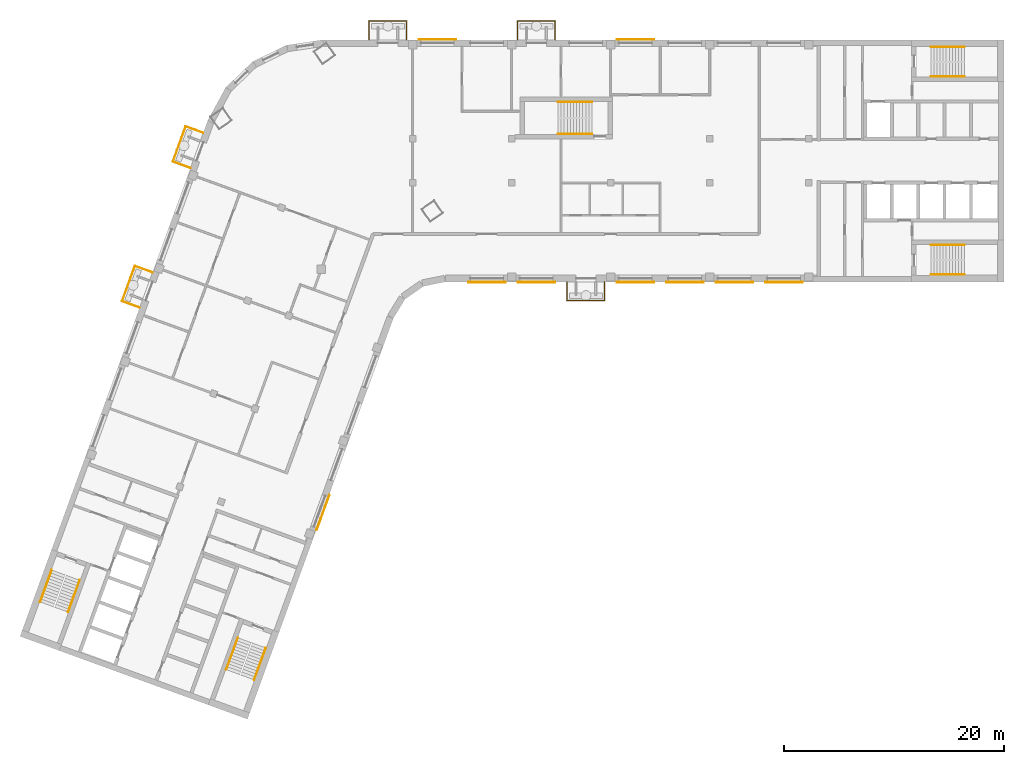
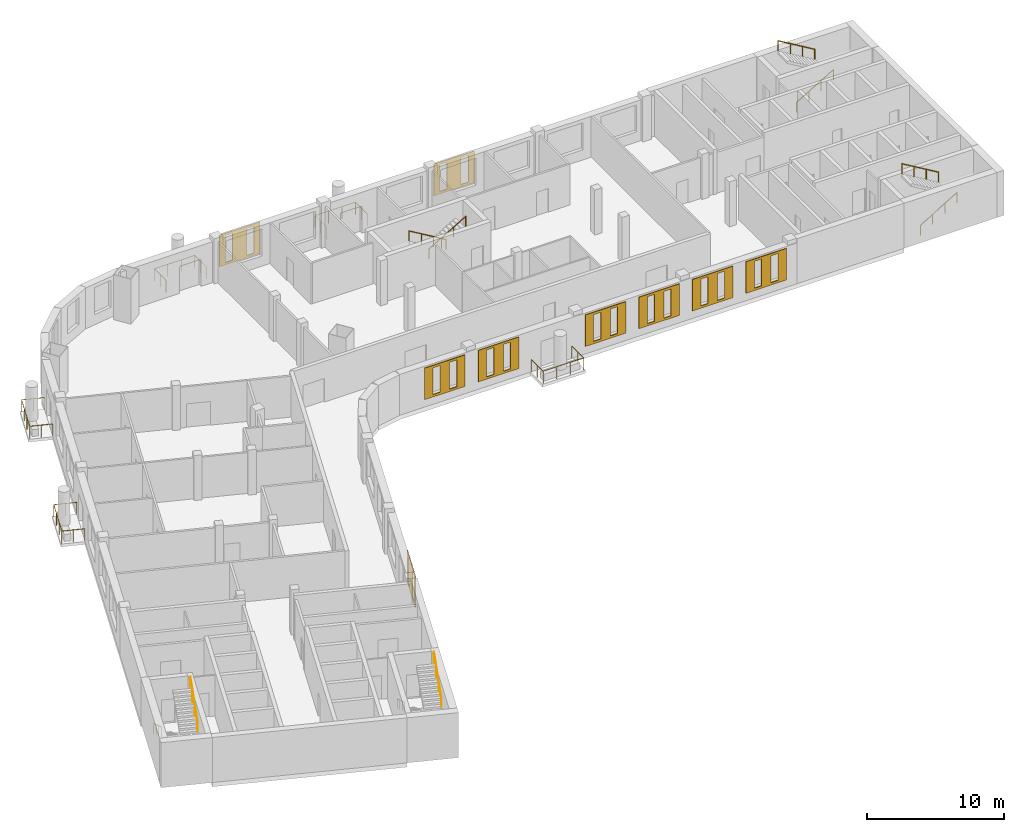
# One storey, part 8 of 10: 15 railings, 9 coverings.
"""IFC4 building model written with IfcOpenShell, lengths in metres."""

from ifc_helpers import new_model, si_unit, direction, frame, origin, origin_2d, place, context, subcontext, project, spatial, polyline, circle, outline, extrude, material, material_profile, profile_set, type_object, element, save


model = new_model("IFC4")

# Units and contexts
model_context = context("Model", 3, precision=1e-05, world=origin(), true_north=direction((0.0, 1.0)))
body_context = subcontext(model_context, "Body", "Model", "MODEL_VIEW")
ifc_project = project(units=[si_unit("LENGTHUNIT", "METRE"), si_unit("AREAUNIT", "SQUARE_METRE"), si_unit("VOLUMEUNIT", "CUBIC_METRE"), si_unit("PLANEANGLEUNIT", "RADIAN"), si_unit("MASSUNIT", "GRAM", prefix="KILO")], contexts=[model_context])

# Site, building, storey
site_placement = place(None, origin())
site = spatial("IfcSite", under=ifc_project, at=site_placement, CompositionType="ELEMENT")
building_placement = place(site_placement, origin())
building = spatial("IfcBuilding", under=site, at=building_placement, Name="Skarvind Civic Tower", CompositionType="ELEMENT")
storey_placement = place(building_placement, frame((0.0, 0.0, 204.0)))
storey = spatial("IfcBuildingStorey", under=building, at=storey_placement, Name="L48", CompositionType="ELEMENT", Elevation=204.0)

# Railings
ifc_material_1 = material(Name="Stainless steel balustrade", Category="steel")
railing_type_1 = type_object("IfcRailingType", Name="GR1 GUARD 1100", PredefinedType="GUARDRAIL", material=ifc_material_1)
railing_1_placement = place(storey_placement, frame((71.699951171875, 117.0, 0.0)))
element("IfcRailing", 1, at=railing_1_placement, inside=storey, type_object=railing_type_1, Name="TREE BALCONY GUARD", PredefinedType="GUARDRAIL", context=body_context, shape_type="SweptSolid", body=[
    extrude(circle(Radius=0.02392578125, at=origin_2d()), frame((0.0, 0.0, 1.076171875), z_axis=(0.0, -1.0, 0.0), x_axis=(1.0, 0.0, 0.0)), (0.0, 0.0, 1.0), 1.699951171875),
    extrude(circle(Radius=0.02392578125, at=origin_2d()), frame((0.0, -1.699951171875, 1.076171875), z_axis=(-1.0, 0.0, 0.0), x_axis=(0.0, -1.0, 0.0)), (0.0, 0.0, 1.0), 3.39990234375),
    extrude(circle(Radius=0.02392578125, at=origin_2d()), frame((-3.39990234375, -1.699951171875, 1.076171875), z_axis=(0.0, 1.0, 0.0), x_axis=(-1.0, 0.0, 0.0)), (0.0, 0.0, 1.0), 1.699951171875),
    extrude(circle(Radius=0.02099609375, at=origin_2d()), origin(), (0.0, 0.0, 1.0), 1.052001953125),
    extrude(circle(Radius=0.02099609375, at=origin_2d()), frame((0.0, -0.85009765625, 0.0)), (0.0, 0.0, 1.0), 1.052001953125),
    extrude(circle(Radius=0.02099609375, at=origin_2d()), frame((0.0, -1.699951171875, 0.0)), (0.0, 0.0, 1.0), 1.052001953125),
    extrude(circle(Radius=0.02099609375, at=origin_2d()), frame((-1.13330078125, -1.699951171875, 0.0)), (0.0, 0.0, 1.0), 1.052001953125),
    extrude(circle(Radius=0.02099609375, at=origin_2d()), frame((-2.2666015625, -1.699951171875, 0.0)), (0.0, 0.0, 1.0), 1.052001953125),
    extrude(circle(Radius=0.02099609375, at=origin_2d()), frame((-3.39990234375, -1.699951171875, 0.0)), (0.0, 0.0, 1.0), 1.052001953125),
    extrude(circle(Radius=0.02099609375, at=origin_2d()), frame((-3.39990234375, -0.85009765625, 0.0)), (0.0, 0.0, 1.0), 1.052001953125),
    extrude(circle(Radius=0.02099609375, at=origin_2d()), frame((-3.39990234375, 0.0, 0.0)), (0.0, 0.0, 1.0), 1.052001953125),
])
for number, where, name in (
    (2, (50.300048828125, 139.0, 0.0), "TREE BALCONY GUARD"),
    (3, (63.800048828125, 139.0, 0.0), "TREE BALCONY GUARD"),
):
    element("IfcRailing", number, at=place(storey_placement, frame(where)), inside=storey, type_object=railing_type_1, Name=name, PredefinedType="GUARDRAIL", context=body_context, shape_type="SweptSolid", body=[
        extrude(circle(Radius=0.02392578125, at=origin_2d()), frame((0.0, 0.0, 1.076171875), z_axis=(0.0, 1.0, 0.0), x_axis=(-1.0, 0.0, 0.0)), (0.0, 0.0, 1.0), 1.699951171875),
        extrude(circle(Radius=0.02392578125, at=origin_2d()), frame((0.0, 1.699951171875, 1.076171875), z_axis=(1.0, 0.0, 0.0), x_axis=(0.0, 1.0, 0.0)), (0.0, 0.0, 1.0), 3.39990234375),
        extrude(circle(Radius=0.02392578125, at=origin_2d()), frame((3.39990234375, 1.699951171875, 1.076171875), z_axis=(0.0, -1.0, 0.0), x_axis=(1.0, 0.0, 0.0)), (0.0, 0.0, 1.0), 1.699951171875),
        extrude(circle(Radius=0.02099609375, at=origin_2d()), origin(), (0.0, 0.0, 1.0), 1.052001953125),
        extrude(circle(Radius=0.02099609375, at=origin_2d()), frame((0.0, 0.85009765625, 0.0)), (0.0, 0.0, 1.0), 1.052001953125),
        extrude(circle(Radius=0.02099609375, at=origin_2d()), frame((0.0, 1.699951171875, 0.0)), (0.0, 0.0, 1.0), 1.052001953125),
        extrude(circle(Radius=0.02099609375, at=origin_2d()), frame((1.13330078125, 1.699951171875, 0.0)), (0.0, 0.0, 1.0), 1.052001953125),
        extrude(circle(Radius=0.02099609375, at=origin_2d()), frame((2.2666015625, 1.699951171875, 0.0)), (0.0, 0.0, 1.0), 1.052001953125),
        extrude(circle(Radius=0.02099609375, at=origin_2d()), frame((3.39990234375, 1.699951171875, 0.0)), (0.0, 0.0, 1.0), 1.052001953125),
        extrude(circle(Radius=0.02099609375, at=origin_2d()), frame((3.39990234375, 0.85009765625, 0.0)), (0.0, 0.0, 1.0), 1.052001953125),
        extrude(circle(Radius=0.02099609375, at=origin_2d()), frame((3.39990234375, 0.0, 0.0)), (0.0, 0.0, 1.0), 1.052001953125),
    ])
railing_2_placement = place(storey_placement, frame((29.438720703125, 114.659912109375, 0.0)))
element("IfcRailing", 4, at=railing_2_placement, inside=storey, type_object=railing_type_1, Name="TREE BALCONY GUARD", PredefinedType="GUARDRAIL", context=body_context, shape_type="SweptSolid", body=[
    extrude(circle(Radius=0.02392578125, at=origin_2d()), frame((0.0, 0.0, 1.076171875), z_axis=(-0.939713724856, 0.341962154804, 0.0), x_axis=(-0.341962154804, -0.939713724856, 0.0)), (0.0, 0.0, 1.0), 1.699951171875),
    extrude(circle(Radius=0.02392578125, at=origin_2d()), frame((-1.597412109375, 0.581298828125, 1.076171875), z_axis=(0.341939080165, 0.939722121404, 0.0), x_axis=(-0.939722121404, 0.341939080165, 0.0)), (0.0, 0.0, 1.0), 3.39990234375),
    extrude(circle(Radius=0.02392578125, at=origin_2d()), frame((-0.434814453125, 3.7763671875, 1.076171875), z_axis=(0.939684369409, -0.342042812948, 0.0), x_axis=(0.342042812948, 0.939684369409, 0.0)), (0.0, 0.0, 1.0), 1.7001953125),
    extrude(circle(Radius=0.02099609375, at=origin_2d()), origin(), (0.0, 0.0, 1.0), 1.052001953125),
    extrude(circle(Radius=0.02099609375, at=origin_2d()), frame((-0.798828125, 0.29052734375, 0.0)), (0.0, 0.0, 1.0), 1.052001953125),
    extrude(circle(Radius=0.02099609375, at=origin_2d()), frame((-1.597412109375, 0.581298828125, 0.0)), (0.0, 0.0, 1.0), 1.052001953125),
    extrude(circle(Radius=0.02099609375, at=origin_2d()), frame((-1.2099609375, 1.646240234375, 0.0)), (0.0, 0.0, 1.0), 1.052001953125),
    extrude(circle(Radius=0.02099609375, at=origin_2d()), frame((-0.822265625, 2.71142578125, 0.0)), (0.0, 0.0, 1.0), 1.052001953125),
    extrude(circle(Radius=0.02099609375, at=origin_2d()), frame((-0.434814453125, 3.7763671875, 0.0)), (0.0, 0.0, 1.0), 1.052001953125),
    extrude(circle(Radius=0.02099609375, at=origin_2d()), frame((0.364013671875, 3.485595703125, 0.0)), (0.0, 0.0, 1.0), 1.052001953125),
    extrude(circle(Radius=0.02099609375, at=origin_2d()), frame((1.162841796875, 3.19482421875, 0.0)), (0.0, 0.0, 1.0), 1.052001953125),
])
railing_3_placement = place(storey_placement, frame((34.055908203125, 127.345703125, 0.0)))
element("IfcRailing", 5, at=railing_3_placement, inside=storey, type_object=railing_type_1, Name="TREE BALCONY GUARD", PredefinedType="GUARDRAIL", context=body_context, shape_type="SweptSolid", body=[
    extrude(circle(Radius=0.02392578125, at=origin_2d()), frame((0.0, 0.0, 1.076171875), z_axis=(-0.939713724856, 0.341962154804, 0.0), x_axis=(-0.341962154804, -0.939713724856, 0.0)), (0.0, 0.0, 1.0), 1.699951171875),
    extrude(circle(Radius=0.02392578125, at=origin_2d()), frame((-1.597412109375, 0.581298828125, 1.076171875), z_axis=(0.342002487902, 0.939699046647, 0.0), x_axis=(-0.939699046647, 0.342002487902, 0.0)), (0.0, 0.0, 1.0), 3.400146484375),
    extrude(circle(Radius=0.02392578125, at=origin_2d()), frame((-0.4345703125, 3.7763671875, 1.076171875), z_axis=(0.939713724856, -0.341962154804, 0.0), x_axis=(0.341962154804, 0.939713724856, 0.0)), (0.0, 0.0, 1.0), 1.699951171875),
    extrude(circle(Radius=0.02099609375, at=origin_2d()), origin(), (0.0, 0.0, 1.0), 1.052001953125),
    extrude(circle(Radius=0.02099609375, at=origin_2d()), frame((-0.798828125, 0.29052734375, 0.0)), (0.0, 0.0, 1.0), 1.052001953125),
    extrude(circle(Radius=0.02099609375, at=origin_2d()), frame((-1.597412109375, 0.581298828125, 0.0)), (0.0, 0.0, 1.0), 1.052001953125),
    extrude(circle(Radius=0.02099609375, at=origin_2d()), frame((-1.209716796875, 1.646240234375, 0.0)), (0.0, 0.0, 1.0), 1.052001953125),
    extrude(circle(Radius=0.02099609375, at=origin_2d()), frame((-0.822265625, 2.71142578125, 0.0)), (0.0, 0.0, 1.0), 1.052001953125),
    extrude(circle(Radius=0.02099609375, at=origin_2d()), frame((-0.4345703125, 3.7763671875, 0.0)), (0.0, 0.0, 1.0), 1.052001953125),
    extrude(circle(Radius=0.02099609375, at=origin_2d()), frame((0.3642578125, 3.48583984375, 0.0)), (0.0, 0.0, 1.0), 1.052001953125),
    extrude(circle(Radius=0.02099609375, at=origin_2d()), frame((1.162841796875, 3.195068359375, 0.0)), (0.0, 0.0, 1.0), 1.052001953125),
])
ifc_material_2 = material(Name="Painted steel handrail", Category="steel")
railing_type_2 = type_object("IfcRailingType", Name="Stair handrail 900", PredefinedType="HANDRAIL", material=ifc_material_2)
railing_4_placement = place(storey_placement, frame((101.35009765625, 135.64990234375, 0.166748046875)))
element("IfcRailing", 6, at=railing_4_placement, inside=storey, type_object=railing_type_2, Name="Stair handrail", PredefinedType="HANDRAIL", context=body_context, shape_type="SweptSolid", body=[
    extrude(circle(Radius=0.02392578125, at=origin_2d()), frame((0.0, 0.0, 0.8759765625), z_axis=(0.859290745958, 0.0, 0.51148745235), x_axis=(0.0, 1.0, 0.0)), (0.0, 0.0, 1.0), 3.584228515625),
    extrude(circle(Radius=0.02099609375, at=origin_2d()), origin(), (0.0, 0.0, 1.0), 0.851806640625),
    extrude(circle(Radius=0.02099609375, at=origin_2d()), frame((1.026611328125, 0.0, 0.611083984375)), (0.0, 0.0, 1.0), 0.851806640625),
    extrude(circle(Radius=0.02099609375, at=origin_2d()), frame((2.05322265625, 0.0, 1.22216796875)), (0.0, 0.0, 1.0), 0.851806640625),
    extrude(circle(Radius=0.02099609375, at=origin_2d()), frame((3.079833984375, 0.0, 1.833251953125)), (0.0, 0.0, 1.0), 0.851806640625),
])
railing_5_placement = place(storey_placement, frame((104.429931640625, 138.35009765625, 2.166748046875)))
element("IfcRailing", 7, at=railing_5_placement, inside=storey, type_object=railing_type_2, Name="Stair handrail", PredefinedType="HANDRAIL", context=body_context, shape_type="SweptSolid", body=[
    extrude(circle(Radius=0.02392578125, at=origin_2d()), frame((0.0, 0.0, 0.8759765625), z_axis=(-0.859290745958, 0.0, 0.51148745235), x_axis=(0.0, -1.0, 0.0)), (0.0, 0.0, 1.0), 3.584228515625),
    extrude(circle(Radius=0.02099609375, at=origin_2d()), origin(), (0.0, 0.0, 1.0), 0.851806640625),
    extrude(circle(Radius=0.02099609375, at=origin_2d()), frame((-1.026611328125, 0.0, 0.611083984375)), (0.0, 0.0, 1.0), 0.851806640625),
    extrude(circle(Radius=0.02099609375, at=origin_2d()), frame((-2.05322265625, 0.0, 1.22216796875)), (0.0, 0.0, 1.0), 0.851806640625),
    extrude(circle(Radius=0.02099609375, at=origin_2d()), frame((-3.079833984375, 0.0, 1.833251953125)), (0.0, 0.0, 1.0), 0.851806640625),
])
railing_6_placement = place(storey_placement, frame((101.35009765625, 117.64990234375, 0.166748046875)))
element("IfcRailing", 8, at=railing_6_placement, inside=storey, type_object=railing_type_2, Name="Stair handrail", PredefinedType="HANDRAIL", context=body_context, shape_type="SweptSolid", body=[
    extrude(circle(Radius=0.02392578125, at=origin_2d()), frame((0.0, 0.0, 0.8759765625), z_axis=(0.859290745958, 0.0, 0.51148745235), x_axis=(0.0, 1.0, 0.0)), (0.0, 0.0, 1.0), 3.584228515625),
    extrude(circle(Radius=0.02099609375, at=origin_2d()), origin(), (0.0, 0.0, 1.0), 0.851806640625),
    extrude(circle(Radius=0.02099609375, at=origin_2d()), frame((1.026611328125, 0.0, 0.611083984375)), (0.0, 0.0, 1.0), 0.851806640625),
    extrude(circle(Radius=0.02099609375, at=origin_2d()), frame((2.05322265625, 0.0, 1.22216796875)), (0.0, 0.0, 1.0), 0.851806640625),
    extrude(circle(Radius=0.02099609375, at=origin_2d()), frame((3.079833984375, 0.0, 1.833251953125)), (0.0, 0.0, 1.0), 0.851806640625),
])
railing_7_placement = place(storey_placement, frame((104.429931640625, 120.35009765625, 2.166748046875)))
element("IfcRailing", 9, at=railing_7_placement, inside=storey, type_object=railing_type_2, Name="Stair handrail", PredefinedType="HANDRAIL", context=body_context, shape_type="SweptSolid", body=[
    extrude(circle(Radius=0.02392578125, at=origin_2d()), frame((0.0, 0.0, 0.8759765625), z_axis=(-0.859290745958, 0.0, 0.51148745235), x_axis=(0.0, -1.0, 0.0)), (0.0, 0.0, 1.0), 3.584228515625),
    extrude(circle(Radius=0.02099609375, at=origin_2d()), origin(), (0.0, 0.0, 1.0), 0.851806640625),
    extrude(circle(Radius=0.02099609375, at=origin_2d()), frame((-1.026611328125, 0.0, 0.611083984375)), (0.0, 0.0, 1.0), 0.851806640625),
    extrude(circle(Radius=0.02099609375, at=origin_2d()), frame((-2.05322265625, 0.0, 1.22216796875)), (0.0, 0.0, 1.0), 0.851806640625),
    extrude(circle(Radius=0.02099609375, at=origin_2d()), frame((-3.079833984375, 0.0, 1.833251953125)), (0.0, 0.0, 1.0), 0.851806640625),
])
railing_8_placement = place(storey_placement, frame((38.362060546875, 84.64794921875, 0.166748046875)))
element("IfcRailing", 10, at=railing_8_placement, inside=storey, type_object=railing_type_2, Name="Stair handrail", PredefinedType="HANDRAIL", context=body_context, shape_type="SweptSolid", body=[
    extrude(circle(Radius=0.02392578125, at=origin_2d()), frame((0.0, 0.0, 0.8759765625), z_axis=(-0.293908055923, -0.807480881337, 0.511461319103), x_axis=(0.939689235759, -0.342029443467, 0.0)), (0.0, 0.0, 1.0), 3.584228515625),
    extrude(circle(Radius=0.02099609375, at=origin_2d()), origin(), (0.0, 0.0, 1.0), 0.851806640625),
    extrude(circle(Radius=0.02099609375, at=origin_2d()), frame((-0.35107421875, -0.96484375, 0.611083984375)), (0.0, 0.0, 1.0), 0.851806640625),
    extrude(circle(Radius=0.02099609375, at=origin_2d()), frame((-0.702392578125, -1.929443359375, 1.22216796875)), (0.0, 0.0, 1.0), 0.851806640625),
    extrude(circle(Radius=0.02099609375, at=origin_2d()), frame((-1.053466796875, -2.894287109375, 1.833251953125)), (0.0, 0.0, 1.0), 0.851806640625),
])
railing_9_placement = place(storey_placement, frame((39.845703125, 80.830078125, 2.166748046875)))
element("IfcRailing", 11, at=railing_9_placement, inside=storey, type_object=railing_type_2, Name="Stair handrail", PredefinedType="HANDRAIL", context=body_context, shape_type="SweptSolid", body=[
    extrude(circle(Radius=0.02392578125, at=origin_2d()), frame((0.0, 0.0, 0.8759765625), z_axis=(0.293908055923, 0.807480881337, 0.511461319103), x_axis=(-0.939689235759, 0.342029443467, 0.0)), (0.0, 0.0, 1.0), 3.584228515625),
    extrude(circle(Radius=0.02099609375, at=origin_2d()), origin(), (0.0, 0.0, 1.0), 0.851806640625),
    extrude(circle(Radius=0.02099609375, at=origin_2d()), frame((0.35107421875, 0.96484375, 0.611083984375)), (0.0, 0.0, 1.0), 0.851806640625),
    extrude(circle(Radius=0.02099609375, at=origin_2d()), frame((0.702392578125, 1.929443359375, 1.22216796875)), (0.0, 0.0, 1.0), 0.851806640625),
    extrude(circle(Radius=0.02099609375, at=origin_2d()), frame((1.053466796875, 2.894287109375, 1.833251953125)), (0.0, 0.0, 1.0), 0.851806640625),
])
railing_10_placement = place(storey_placement, frame((21.447509765625, 90.80419921875, 0.166748046875)))
element("IfcRailing", 12, at=railing_10_placement, inside=storey, type_object=railing_type_2, Name="Stair handrail", PredefinedType="HANDRAIL", context=body_context, shape_type="SweptSolid", body=[
    extrude(circle(Radius=0.02392578125, at=origin_2d()), frame((0.0, 0.0, 0.8759765625), z_axis=(-0.293845824691, -0.807497044902, 0.511471557163), x_axis=(0.939714709796, -0.34195944817, 0.0)), (0.0, 0.0, 1.0), 3.584228515625),
    extrude(circle(Radius=0.02099609375, at=origin_2d()), origin(), (0.0, 0.0, 1.0), 0.851806640625),
    extrude(circle(Radius=0.02099609375, at=origin_2d()), frame((-0.35107421875, -0.96484375, 0.611083984375)), (0.0, 0.0, 1.0), 0.851806640625),
    extrude(circle(Radius=0.02099609375, at=origin_2d()), frame((-0.7021484375, -1.929443359375, 1.22216796875)), (0.0, 0.0, 1.0), 0.851806640625),
    extrude(circle(Radius=0.02099609375, at=origin_2d()), frame((-1.05322265625, -2.894287109375, 1.833251953125)), (0.0, 0.0, 1.0), 0.851806640625),
])
railing_11_placement = place(storey_placement, frame((22.931396484375, 86.986572265625, 2.166748046875)))
element("IfcRailing", 13, at=railing_11_placement, inside=storey, type_object=railing_type_2, Name="Stair handrail", PredefinedType="HANDRAIL", context=body_context, shape_type="SweptSolid", body=[
    extrude(circle(Radius=0.02392578125, at=origin_2d()), frame((0.0, 0.0, 0.8759765625), z_axis=(0.293908055923, 0.807480881337, 0.511461319103), x_axis=(-0.939689235759, 0.342029443467, 0.0)), (0.0, 0.0, 1.0), 3.584228515625),
    extrude(circle(Radius=0.02099609375, at=origin_2d()), origin(), (0.0, 0.0, 1.0), 0.851806640625),
    extrude(circle(Radius=0.02099609375, at=origin_2d()), frame((0.35107421875, 0.96484375, 0.611083984375)), (0.0, 0.0, 1.0), 0.851806640625),
    extrude(circle(Radius=0.02099609375, at=origin_2d()), frame((0.702392578125, 1.929443359375, 1.22216796875)), (0.0, 0.0, 1.0), 0.851806640625),
    extrude(circle(Radius=0.02099609375, at=origin_2d()), frame((1.053466796875, 2.894287109375, 1.833251953125)), (0.0, 0.0, 1.0), 0.851806640625),
])
railing_12_placement = place(storey_placement, frame((70.550048828125, 133.35009765625, 0.166748046875)))
element("IfcRailing", 14, at=railing_12_placement, inside=storey, type_object=railing_type_2, Name="Stair handrail", PredefinedType="HANDRAIL", context=body_context, shape_type="SweptSolid", body=[
    extrude(circle(Radius=0.02392578125, at=origin_2d()), frame((0.0, 0.0, 0.8759765625), z_axis=(-0.859308565015, 0.0, 0.511457515432), x_axis=(0.0, -1.0, 0.0)), (0.0, 0.0, 1.0), 3.58447265625),
    extrude(circle(Radius=0.02099609375, at=origin_2d()), origin(), (0.0, 0.0, 1.0), 0.851806640625),
    extrude(circle(Radius=0.02099609375, at=origin_2d()), frame((-1.026611328125, 0.0, 0.611083984375)), (0.0, 0.0, 1.0), 0.851806640625),
    extrude(circle(Radius=0.02099609375, at=origin_2d()), frame((-2.053466796875, 0.0, 1.22216796875)), (0.0, 0.0, 1.0), 0.851806640625),
    extrude(circle(Radius=0.02099609375, at=origin_2d()), frame((-3.080078125, 0.0, 1.833251953125)), (0.0, 0.0, 1.0), 0.851806640625),
])
railing_13_placement = place(storey_placement, frame((67.469970703125, 130.449951171875, 2.166748046875)))
element("IfcRailing", 15, at=railing_13_placement, inside=storey, type_object=railing_type_2, Name="Stair handrail", PredefinedType="HANDRAIL", context=body_context, shape_type="SweptSolid", body=[
    extrude(circle(Radius=0.02392578125, at=origin_2d()), frame((0.0, 0.0, 0.8759765625), z_axis=(0.859308565015, 0.0, 0.511457515432), x_axis=(0.0, 1.0, 0.0)), (0.0, 0.0, 1.0), 3.58447265625),
    extrude(circle(Radius=0.02099609375, at=origin_2d()), origin(), (0.0, 0.0, 1.0), 0.851806640625),
    extrude(circle(Radius=0.02099609375, at=origin_2d()), frame((1.026611328125, 0.0, 0.611083984375)), (0.0, 0.0, 1.0), 0.851806640625),
    extrude(circle(Radius=0.02099609375, at=origin_2d()), frame((2.053466796875, 0.0, 1.22216796875)), (0.0, 0.0, 1.0), 0.851806640625),
    extrude(circle(Radius=0.02099609375, at=origin_2d()), frame((3.080078125, 0.0, 1.833251953125)), (0.0, 0.0, 1.0), 0.851806640625),
])

# Coverings
ifc_material_3 = material(Name="Terracotta", Category="masonry")
ifc_material_profile_1 = material_profile(ifc_material_3, outline(polyline([(-1.699951171875, -1.39990234375), (1.699951171875, -1.39990234375), (1.699951171875, 1.39990234375), (-1.699951171875, 1.39990234375), (-1.699951171875, -1.39990234375)]), holes=[polyline([(-1.0, -1.18994140625), (-0.39990234375, -1.18994140625), (-0.39990234375, 1.18994140625), (-1.0, 1.18994140625), (-1.0, -1.18994140625)]), polyline([(0.39990234375, -1.18994140625), (1.0, -1.18994140625), (1.0, 1.18994140625), (0.39990234375, 1.18994140625), (0.39990234375, -1.18994140625)])]), Name="TERRACOTTA SCREEN 3400 x 2800, SLIT PITCH 1400")
ifc_profile_set_1 = profile_set([ifc_material_profile_1], Name="Terracotta")
covering_type_1 = type_object("IfcCoveringType", Name="TERRACOTTA SCREEN 3400 x 2800, SLIT PITCH 1400", PredefinedType="CLADDING", material=ifc_profile_set_1)
for number, where, z_axis, x_axis, name in (
    (16, (88.0, 117.0, 2.10009765625), (0.0, -1.0, 0.0), (1.0, 0.0, 0.0), "TERRACOTTA SCREEN"),
    (17, (83.5, 117.0, 2.10009765625), (0.0, -1.0, 0.0), (1.0, 0.0, 0.0), "TERRACOTTA SCREEN"),
    (18, (79.0, 117.0, 2.10009765625), (0.0, -1.0, 0.0), (1.0, 0.0, 0.0), "TERRACOTTA SCREEN"),
    (19, (74.5, 117.0, 2.10009765625), (0.0, -1.0, 0.0), (1.0, 0.0, 0.0), "TERRACOTTA SCREEN"),
    (20, (65.5, 117.0, 2.10009765625), (0.0, -1.0, 0.0), (1.0, 0.0, 0.0), "TERRACOTTA SCREEN"),
    (21, (61.0, 117.0, 2.10009765625), (0.0, -1.0, 0.0), (1.0, 0.0, 0.0), "TERRACOTTA SCREEN"),
):
    element("IfcCovering", number, at=place(storey_placement, frame(where, z_axis=z_axis, x_axis=x_axis)), inside=storey, type_object=covering_type_1, Name=name, PredefinedType="CLADDING", context=body_context, shape_type="SweptSolid", body=[
        extrude(outline(polyline([(-1.699951171875, -1.39990234375), (1.699951171875, -1.39990234375), (1.699951171875, 1.39990234375), (-1.699951171875, 1.39990234375), (-1.699951171875, -1.39990234375)]), holes=[polyline([(-1.0, -1.18994140625), (-0.39990234375, -1.18994140625), (-0.39990234375, 1.18994140625), (-1.0, 1.18994140625), (-1.0, -1.18994140625)]), polyline([(0.39990234375, -1.18994140625), (1.0, -1.18994140625), (1.0, 1.18994140625), (0.39990234375, 1.18994140625), (0.39990234375, -1.18994140625)])]), origin(), (0.0, 0.0, 1.0), 0.06005859375),
    ])
ifc_material_profile_2 = material_profile(ifc_material_3, outline(polyline([(-1.699951171875, -1.39990234375), (1.699951171875, -1.39990234375), (1.699951171875, 1.39990234375), (-1.699951171875, 1.39990234375), (-1.699951171875, -1.39990234375)]), holes=[polyline([(-1.199951171875, -1.18994140625), (-0.60009765625, -1.18994140625), (-0.60009765625, 1.18994140625), (-1.199951171875, 1.18994140625), (-1.199951171875, -1.18994140625)]), polyline([(0.60009765625, -1.18994140625), (1.199951171875, -1.18994140625), (1.199951171875, 1.18994140625), (0.60009765625, 1.18994140625), (0.60009765625, -1.18994140625)])]), Name="TERRACOTTA SCREEN 3400 x 2800, SLIT PITCH 1800")
ifc_profile_set_2 = profile_set([ifc_material_profile_2], Name="Terracotta")
covering_type_2 = type_object("IfcCoveringType", Name="TERRACOTTA SCREEN 3400 x 2800, SLIT PITCH 1800", PredefinedType="CLADDING", material=ifc_profile_set_2)
for number, where, z_axis, x_axis, name in (
    (22, (46.075927734375, 96.047119140625, 2.10009765625), (0.939793423488, -0.341743063087, 0.0), (0.341743063087, 0.939793423488, 0.0), "TERRACOTTA SCREEN"),
    (23, (56.5, 139.0, 2.10009765625), (0.0, 1.0, 0.0), (-1.0, 0.0, 0.0), "TERRACOTTA SCREEN"),
    (24, (74.5, 139.0, 2.10009765625), (0.0, 1.0, 0.0), (-1.0, 0.0, 0.0), "TERRACOTTA SCREEN"),
):
    element("IfcCovering", number, at=place(storey_placement, frame(where, z_axis=z_axis, x_axis=x_axis)), inside=storey, type_object=covering_type_2, Name=name, PredefinedType="CLADDING", context=body_context, shape_type="SweptSolid", body=[
        extrude(outline(polyline([(-1.699951171875, -1.39990234375), (1.699951171875, -1.39990234375), (1.699951171875, 1.39990234375), (-1.699951171875, 1.39990234375), (-1.699951171875, -1.39990234375)]), holes=[polyline([(-1.199951171875, -1.18994140625), (-0.60009765625, -1.18994140625), (-0.60009765625, 1.18994140625), (-1.199951171875, 1.18994140625), (-1.199951171875, -1.18994140625)]), polyline([(0.60009765625, -1.18994140625), (1.199951171875, -1.18994140625), (1.199951171875, 1.18994140625), (0.60009765625, 1.18994140625), (0.60009765625, -1.18994140625)])]), origin(), (0.0, 0.0, 1.0), 0.06005859375),
    ])

save(model, "model.ifc")
